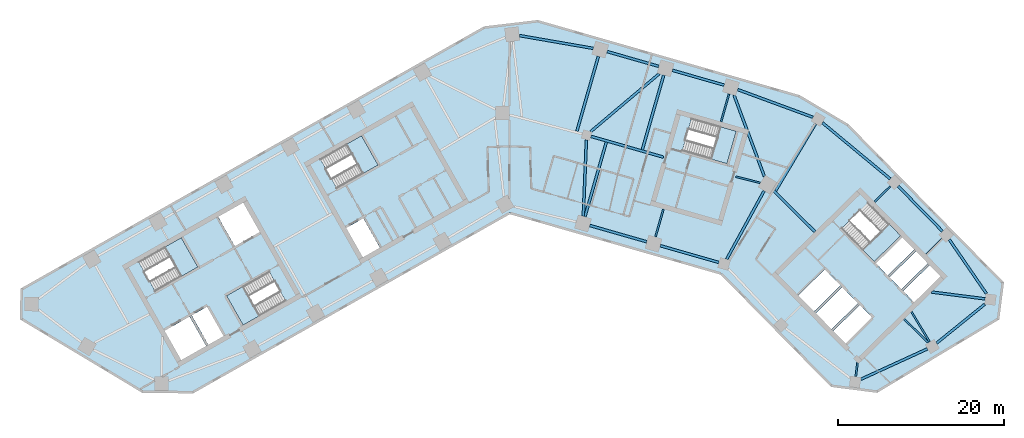
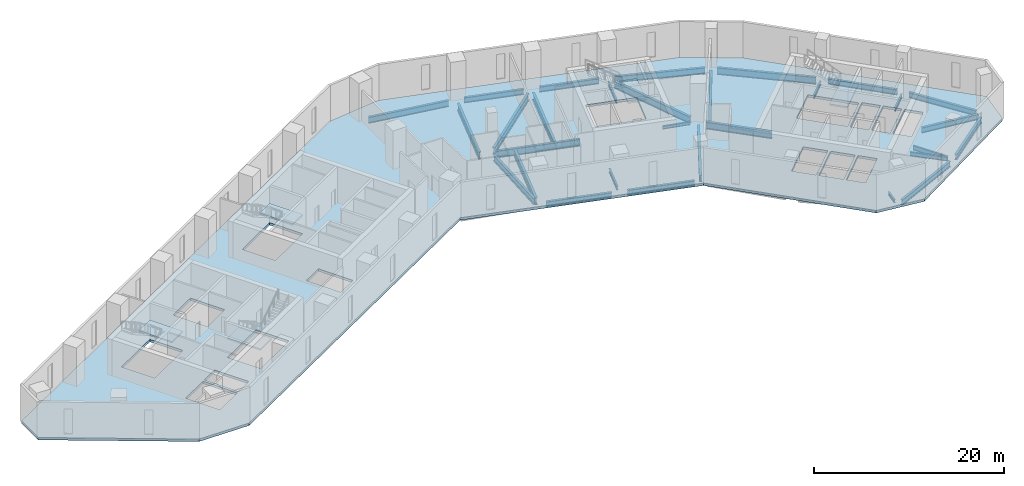
# One storey, part 2 of 10: 30 beams, 6 slabs, 5 elements without a shape of their own.
"""IFC4 building model written with IfcOpenShell, lengths in metres."""

from ifc_helpers import new_model, si_unit, direction, frame, origin, origin_2d, place, context, subcontext, project, spatial, polyline, i_section, outline, extrude, material, layer, layer_set, material_profile, profile_set, type_object, element, aggregate, save


model = new_model("IFC4")

# Units and contexts
model_context = context("Model", 3, precision=1e-05, world=origin(), true_north=direction((0.0, 1.0)))
body_context = subcontext(model_context, "Body", "Model", "MODEL_VIEW")
ifc_project = project(units=[si_unit("LENGTHUNIT", "METRE"), si_unit("AREAUNIT", "SQUARE_METRE"), si_unit("VOLUMEUNIT", "CUBIC_METRE"), si_unit("PLANEANGLEUNIT", "RADIAN"), si_unit("MASSUNIT", "GRAM", prefix="KILO")], contexts=[model_context])

# Site, building, storey
site_placement = place(None, origin())
site = spatial("IfcSite", under=ifc_project, at=site_placement, CompositionType="ELEMENT")
building_placement = place(site_placement, origin())
building = spatial("IfcBuilding", under=site, at=building_placement, Name="Binnacle Exchange Tower", CompositionType="ELEMENT")
storey_placement = place(building_placement, frame((0.0, 0.0, 31.5)))
storey = spatial("IfcBuildingStorey", under=building, at=storey_placement, Name="L06", CompositionType="ELEMENT", Elevation=31.5)

# Beams
ifc_material_1 = material(Name="Steel S355 (SHN355)", Category="steel")
ifc_material_profile_1 = material_profile(ifc_material_1, i_section(OverallWidth=0.300048828125, OverallDepth=0.699951171875, WebThickness=0.012939453125, FlangeThickness=0.02392578125, FilletRadius=0.028076171875, at=origin_2d()), Name="H 700x300x13x24")
ifc_profile_set_1 = profile_set([ifc_material_profile_1], Name="Steel S355 (SHN355)")
beam_type_1 = type_object("IfcBeamType", Name="Edge girder H 700x300x13x24 Steel S355 (SHN355)", PredefinedType="SPANDREL", material=ifc_profile_set_1)
beam_1_placement = place(storey_placement, frame((9.626708984375, 46.488037109375, -0.669921875), z_axis=(0.961260850036, -0.275640305812, 0.0), x_axis=(0.275640305812, 0.961260850036, 0.0)))
element("IfcBeam", 1, at=beam_1_placement, inside=storey, type_object=beam_type_1, Name="S:BM:edge:L06:030", PredefinedType="SPANDREL", context=body_context, shape_type="SweptSolid", body=[
    extrude(i_section(OverallWidth=0.300048828125, OverallDepth=0.699951171875, WebThickness=0.012939453125, FlangeThickness=0.02392578125, FilletRadius=0.028076171875, at=origin_2d()), origin(), (0.0, 0.0, 1.0), 7.120361328125),
])
beam_2_placement = place(storey_placement, frame((17.92919921875, 65.610595703125, -0.669921875), z_axis=(-0.961261624999, 0.275637603213, 0.0), x_axis=(-0.275637603213, -0.961261624999, 0.0)))
element("IfcBeam", 2, at=beam_2_placement, inside=storey, type_object=beam_type_1, Name="S:BM:edge:L06:032", PredefinedType="SPANDREL", context=body_context, shape_type="SweptSolid", body=[
    extrude(i_section(OverallWidth=0.300048828125, OverallDepth=0.699951171875, WebThickness=0.012939453125, FlangeThickness=0.02392578125, FilletRadius=0.028076171875, at=origin_2d()), origin(), (0.0, 0.0, 1.0), 6.472900390625),
])
beam_3_placement = place(storey_placement, frame((18.105224609375, 44.056884765625, -0.669921875), z_axis=(0.96126047873, -0.275641600691, 0.0), x_axis=(0.275641600691, 0.96126047873, 0.0)))
element("IfcBeam", 3, at=beam_3_placement, inside=storey, type_object=beam_type_1, Name="S:BM:edge:L06:033", PredefinedType="SPANDREL", context=body_context, shape_type="SweptSolid", body=[
    extrude(i_section(OverallWidth=0.300048828125, OverallDepth=0.699951171875, WebThickness=0.012939453125, FlangeThickness=0.02392578125, FilletRadius=0.028076171875, at=origin_2d()), origin(), (0.0, 0.0, 1.0), 7.320556640625),
])
beam_4_placement = place(storey_placement, frame((25.78564453125, 63.35791015625, -0.669921875), z_axis=(-0.961271618025, 0.275602751036, 0.0), x_axis=(-0.275602751036, -0.961271618025, 0.0)))
element("IfcBeam", 4, at=beam_4_placement, inside=storey, type_object=beam_type_1, Name="S:BM:edge:L06:034", PredefinedType="SPANDREL", context=body_context, shape_type="SweptSolid", body=[
    extrude(i_section(OverallWidth=0.300048828125, OverallDepth=0.699951171875, WebThickness=0.012939453125, FlangeThickness=0.02392578125, FilletRadius=0.028076171875, at=origin_2d()), origin(), (0.0, 0.0, 1.0), 6.472900390625),
])
beam_5_placement = place(storey_placement, frame((51.322265625, 32.343505859375, -0.669921875), z_axis=(0.777568489665, 0.628798253719, 0.0), x_axis=(-0.628798253719, 0.777568489665, 0.0)))
element("IfcBeam", 5, at=beam_5_placement, inside=storey, type_object=beam_type_1, Name="S:BM:edge:L06:040", PredefinedType="SPANDREL", context=body_context, shape_type="SweptSolid", body=[
    extrude(i_section(OverallWidth=0.300048828125, OverallDepth=0.699951171875, WebThickness=0.012939453125, FlangeThickness=0.02392578125, FilletRadius=0.028076171875, at=origin_2d()), origin(), (0.0, 0.0, 1.0), 7.428955078125),
])
beam_6_placement = place(storey_placement, frame((52.010986328125, 45.802978515625, -0.669921875), z_axis=(-0.700905226564, 0.713254417004, 0.0), x_axis=(-0.713254417004, -0.700905226564, 0.0)))
element("IfcBeam", 6, at=beam_6_placement, inside=storey, type_object=beam_type_1, Name="S:BM:edge:L06:041", PredefinedType="SPANDREL", context=body_context, shape_type="SweptSolid", body=[
    extrude(i_section(OverallWidth=0.300048828125, OverallDepth=0.699951171875, WebThickness=0.012939453125, FlangeThickness=0.02392578125, FilletRadius=0.028076171875, at=origin_2d()), origin(), (0.0, 0.0, 1.0), 7.57177734375),
])
beam_7_placement = place(storey_placement, frame((57.305419921875, 38.299072265625, -0.669921875), z_axis=(-0.566409202341, 0.82412415054, 0.0), x_axis=(-0.82412415054, -0.566409202341, 0.0)))
element("IfcBeam", 7, at=beam_7_placement, inside=storey, type_object=beam_type_1, Name="S:BM:edge:L06:042", PredefinedType="SPANDREL", context=body_context, shape_type="SweptSolid", body=[
    extrude(i_section(OverallWidth=0.300048828125, OverallDepth=0.699951171875, WebThickness=0.012939453125, FlangeThickness=0.02392578125, FilletRadius=0.028076171875, at=origin_2d()), origin(), (0.0, 0.0, 1.0), 7.8828125),
])
ifc_material_profile_2 = material_profile(ifc_material_1, i_section(OverallWidth=0.302001953125, OverallDepth=0.7080078125, WebThickness=0.014892578125, FlangeThickness=0.028076171875, FilletRadius=0.028076171875, at=origin_2d()), Name="H 708x302x15x28")
ifc_profile_set_2 = profile_set([ifc_material_profile_2], Name="Steel S355 (SHN355)")
beam_type_2 = type_object("IfcBeamType", Name="Edge girder H 708x302x15x28 Steel S355 (SHN355)", PredefinedType="SPANDREL", material=ifc_profile_set_2)
beam_8_placement = place(storey_placement, frame((42.215576171875, 27.99365234375, -0.674072265625), z_axis=(0.909179052108, 0.416405392866, 0.0), x_axis=(-0.416405392866, 0.909179052108, 0.0)))
element("IfcBeam", 8, at=beam_8_placement, inside=storey, type_object=beam_type_2, Name="S:BM:edge:L06:038", PredefinedType="SPANDREL", context=body_context, shape_type="SweptSolid", body=[
    extrude(i_section(OverallWidth=0.302001953125, OverallDepth=0.7080078125, WebThickness=0.014892578125, FlangeThickness=0.028076171875, FilletRadius=0.028076171875, at=origin_2d()), origin(), (0.0, 0.0, 1.0), 8.801025390625),
])
ifc_material_profile_3 = material_profile(ifc_material_1, i_section(OverallWidth=0.300048828125, OverallDepth=0.800048828125, WebThickness=0.013916015625, FlangeThickness=0.02587890625, FilletRadius=0.028076171875, at=origin_2d()), Name="H 800x300x14x26")
ifc_profile_set_3 = profile_set([ifc_material_profile_3], Name="Steel S355 (SHN355)")
beam_type_3 = type_object("IfcBeamType", Name="Edge girder H 800x300x14x26 Steel S355 (SHN355)", PredefinedType="SPANDREL", material=ifc_profile_set_3)
beam_9_placement = place(storey_placement, frame((10.047607421875, 67.77490234375, -0.719970703125), z_axis=(-0.985312460293, 0.17076110679, 0.0), x_axis=(-0.17076110679, -0.985312460293, 0.0)))
element("IfcBeam", 9, at=beam_9_placement, inside=storey, type_object=beam_type_3, Name="S:BM:edge:L06:031", PredefinedType="SPANDREL", context=body_context, shape_type="SweptSolid", body=[
    extrude(i_section(OverallWidth=0.300048828125, OverallDepth=0.800048828125, WebThickness=0.013916015625, FlangeThickness=0.02587890625, FilletRadius=0.028076171875, at=origin_2d()), origin(), (0.0, 0.0, 1.0), 9.005859375),
])
ifc_material_profile_4 = material_profile(ifc_material_1, i_section(OverallWidth=0.302001953125, OverallDepth=0.80810546875, WebThickness=0.01611328125, FlangeThickness=0.030029296875, FilletRadius=0.028076171875, at=origin_2d()), Name="H 808x302x16x30")
ifc_profile_set_4 = profile_set([ifc_material_profile_4], Name="Steel S355 (SHN355)")
beam_type_4 = type_object("IfcBeamType", Name="Edge girder H 808x302x16x30 Steel S355 (SHN355)", PredefinedType="SPANDREL", material=ifc_profile_set_4)
beam_10_placement = place(storey_placement, frame((36.464599609375, 59.490966796875, -0.72412109375), z_axis=(-0.938368148393, 0.345637408395, 0.0), x_axis=(-0.345637408395, -0.938368148393, 0.0)))
element("IfcBeam", 10, at=beam_10_placement, inside=storey, type_object=beam_type_4, Name="S:BM:edge:L06:037", PredefinedType="SPANDREL", context=body_context, shape_type="SweptSolid", body=[
    extrude(i_section(OverallWidth=0.302001953125, OverallDepth=0.80810546875, WebThickness=0.01611328125, FlangeThickness=0.030029296875, FilletRadius=0.028076171875, at=origin_2d()), origin(), (0.0, 0.0, 1.0), 9.6572265625),
])
ifc_material_profile_5 = material_profile(ifc_material_1, i_section(OverallWidth=0.300048828125, OverallDepth=0.89990234375, WebThickness=0.01611328125, FlangeThickness=0.028076171875, FilletRadius=0.028076171875, at=origin_2d()), Name="H 900x300x16x28")
ifc_profile_set_5 = profile_set([ifc_material_profile_5], Name="Steel S355 (SHN355)")
beam_type_5 = type_object("IfcBeamType", Name="Edge girder H 900x300x16x28 Steel S355 (SHN355)", PredefinedType="SPANDREL", material=ifc_profile_set_5)
beam_11_placement = place(storey_placement, frame((45.7451171875, 52.084228515625, -0.77001953125), z_axis=(-0.769906025895, 0.638157277864, 0.0), x_axis=(-0.638157277864, -0.769906025895, 0.0)))
element("IfcBeam", 11, at=beam_11_placement, inside=storey, type_object=beam_type_5, Name="S:BM:edge:L06:039", PredefinedType="SPANDREL", context=body_context, shape_type="SweptSolid", body=[
    extrude(i_section(OverallWidth=0.300048828125, OverallDepth=0.89990234375, WebThickness=0.01611328125, FlangeThickness=0.028076171875, FilletRadius=0.028076171875, at=origin_2d()), origin(), (0.0, 0.0, 1.0), 10.59033203125),
])
ifc_material_profile_6 = material_profile(ifc_material_1, i_section(OverallWidth=0.199951171875, OverallDepth=0.39990234375, WebThickness=0.008056640625, FlangeThickness=0.012939453125, FilletRadius=0.01611328125, at=origin_2d()), Name="H 400x200x8x13")
ifc_profile_set_6 = profile_set([ifc_material_profile_6], Name="Steel S355 (SHN355)")
beam_type_6 = type_object("IfcBeamType", Name="Floor beam H 400x200x8x13 Steel S355 (SHN355)", PredefinedType="BEAM", material=ifc_profile_set_6)
beam_12_placement = place(storey_placement, frame((41.601806640625, 28.319580078125, -0.52001953125), z_axis=(0.126197116971, 0.992005185303, 0.0), x_axis=(-0.992005185303, 0.126197116971, 0.0)))
element("IfcBeam", 12, at=beam_12_placement, inside=storey, type_object=beam_type_6, Name="S:BM:cross:L06:063", PredefinedType="BEAM", context=body_context, shape_type="SweptSolid", body=[
    extrude(i_section(OverallWidth=0.199951171875, OverallDepth=0.39990234375, WebThickness=0.008056640625, FlangeThickness=0.012939453125, FilletRadius=0.01611328125, at=origin_2d()), origin(), (0.0, 0.0, 1.0), 1.68115234375),
])
ifc_material_profile_7 = material_profile(ifc_material_1, i_section(OverallWidth=0.199951171875, OverallDepth=0.449951171875, WebThickness=0.009033203125, FlangeThickness=0.013916015625, FilletRadius=0.01806640625, at=origin_2d()), Name="H 450x200x9x14")
ifc_profile_set_7 = profile_set([ifc_material_profile_7], Name="Steel S355 (SHN355)")
beam_type_7 = type_object("IfcBeamType", Name="Floor beam H 450x200x9x14 Steel S355 (SHN355)", PredefinedType="BEAM", material=ifc_profile_set_7)
for number, where, z_axis, x_axis, name in (
    (13, (45.78466796875, 51.211669921875, -0.544921875), (-0.713299272232, -0.700859578113, 0.0), (0.700859578113, -0.713299272232, 0.0), "S:BM:cross:L06:064"),
    (14, (52.003173828125, 44.8837890625, -0.544921875), (-0.713254209224, -0.700905438004, 0.0), (0.700905438004, -0.713254209224, 0.0), "S:BM:cross:L06:066"),
):
    element("IfcBeam", number, at=place(storey_placement, frame(where, z_axis=z_axis, x_axis=x_axis)), inside=storey, type_object=beam_type_7, Name=name, PredefinedType="BEAM", context=body_context, shape_type="SweptSolid", body=[
        extrude(i_section(OverallWidth=0.199951171875, OverallDepth=0.449951171875, WebThickness=0.009033203125, FlangeThickness=0.013916015625, FilletRadius=0.01806640625, at=origin_2d()), origin(), (0.0, 0.0, 1.0), 2.70849609375),
    ])
ifc_material_profile_8 = material_profile(ifc_material_1, i_section(OverallWidth=0.200927734375, OverallDepth=0.506103515625, WebThickness=0.010986328125, FlangeThickness=0.01904296875, FilletRadius=0.02001953125, at=origin_2d()), Name="H 506x201x11x19")
ifc_profile_set_8 = profile_set([ifc_material_profile_8], Name="Steel S355 (SHN355)")
beam_type_8 = type_object("IfcBeamType", Name="Floor beam H 506x201x11x19 Steel S355 (SHN355)", PredefinedType="BEAM", material=ifc_profile_set_8)
for number, where, z_axis, x_axis, name in (
    (15, (17.5224609375, 45.108154296875, -0.572998046875), (0.275655468279, 0.961256502089, 0.0), (-0.961256502089, 0.275655468279, 0.0), "S:BM:cross:L06:058"),
    (16, (26.368408203125, 62.306396484375, -0.572998046875), (-0.275655468279, -0.961256502089, 0.0), (0.961256502089, -0.275655468279, 0.0), "S:BM:cross:L06:060"),
):
    element("IfcBeam", number, at=place(storey_placement, frame(where, z_axis=z_axis, x_axis=x_axis)), inside=storey, type_object=beam_type_8, Name=name, PredefinedType="BEAM", context=body_context, shape_type="SweptSolid", body=[
        extrude(i_section(OverallWidth=0.200927734375, OverallDepth=0.506103515625, WebThickness=0.010986328125, FlangeThickness=0.01904296875, FilletRadius=0.02001953125, at=origin_2d()), origin(), (0.0, 0.0, 1.0), 3.485107421875),
    ])
ifc_material_profile_9 = material_profile(ifc_material_1, i_section(OverallWidth=0.199951171875, OverallDepth=0.60009765625, WebThickness=0.010986328125, FlangeThickness=0.01708984375, FilletRadius=0.02197265625, at=origin_2d()), Name="H 600x200x11x17")
ifc_profile_set_9 = profile_set([ifc_material_profile_9], Name="Steel S355 (SHN355)")
beam_type_9 = type_object("IfcBeamType", Name="Floor beam H 600x200x11x17 Steel S355 (SHN355)", PredefinedType="BEAM", material=ifc_profile_set_9)
beam_13_placement = place(storey_placement, frame((50.477294921875, 32.488037109375, -0.6201171875), z_axis=(-0.515057466438, 0.857155648798, 0.0), x_axis=(-0.857155648798, -0.515057466438, 0.0)))
element("IfcBeam", 17, at=beam_13_placement, inside=storey, type_object=beam_type_9, Name="S:BM:cross:L06:065", PredefinedType="BEAM", context=body_context, shape_type="SweptSolid", body=[
    extrude(i_section(OverallWidth=0.199951171875, OverallDepth=0.60009765625, WebThickness=0.010986328125, FlangeThickness=0.01708984375, FilletRadius=0.02197265625, at=origin_2d()), origin(), (0.0, 0.0, 1.0), 4.2177734375),
])
ifc_material_profile_10 = material_profile(ifc_material_1, i_section(OverallWidth=0.300048828125, OverallDepth=0.699951171875, WebThickness=0.012939453125, FlangeThickness=0.02392578125, FilletRadius=0.028076171875, at=origin_2d()), Name="H 700x300x13x24")
ifc_profile_set_10 = profile_set([ifc_material_profile_10], Name="Steel S355 (SHN355)")
beam_type_10 = type_object("IfcBeamType", Name="Floor beam H 700x300x13x24 Steel S355 (SHN355)", PredefinedType="BEAM", material=ifc_profile_set_10)
beam_14_placement = place(storey_placement, frame((57.154296875, 37.6630859375, -0.669921875), z_axis=(-0.992006658356, 0.126185537116, 0.0), x_axis=(-0.126185537116, -0.992006658356, 0.0)))
element("IfcBeam", 18, at=beam_14_placement, inside=storey, type_object=beam_type_10, Name="S:BM:cross:L06:067", PredefinedType="BEAM", context=body_context, shape_type="SweptSolid", body=[
    extrude(i_section(OverallWidth=0.300048828125, OverallDepth=0.699951171875, WebThickness=0.012939453125, FlangeThickness=0.02392578125, FilletRadius=0.028076171875, at=origin_2d()), origin(), (0.0, 0.0, 1.0), 6.4814453125),
])
ifc_material_profile_11 = material_profile(ifc_material_1, i_section(OverallWidth=0.302978515625, OverallDepth=0.91796875, WebThickness=0.01904296875, FlangeThickness=0.037109375, FilletRadius=0.028076171875, at=origin_2d()), Name="H 918x303x19x37")
ifc_profile_set_11 = profile_set([ifc_material_profile_11], Name="Steel S355 (SHN355)")
beam_type_11 = type_object("IfcBeamType", Name="Floor beam H 918x303x19x37 Steel S355 (SHN355)", PredefinedType="BEAM", material=ifc_profile_set_11)
beam_15_placement = place(storey_placement, frame((9.043701171875, 47.539306640625, -0.779052734375), z_axis=(0.275646698205, 0.961259017003, 0.0), x_axis=(-0.961259017003, 0.275646698205, 0.0)))
element("IfcBeam", 19, at=beam_15_placement, inside=storey, type_object=beam_type_11, Name="S:BM:cross:L06:056", PredefinedType="BEAM", context=body_context, shape_type="SweptSolid", body=[
    extrude(i_section(OverallWidth=0.302978515625, OverallDepth=0.91796875, WebThickness=0.01904296875, FlangeThickness=0.037109375, FilletRadius=0.028076171875, at=origin_2d()), origin(), (0.0, 0.0, 1.0), 9.335205078125),
])
beam_16_placement = place(storey_placement, frame((10.65576171875, 66.81201171875, -0.779052734375), z_axis=(-0.275626703457, -0.961264750389, 0.0), x_axis=(0.961264750389, -0.275626703457, 0.0)))
element("IfcBeam", 20, at=beam_16_placement, inside=storey, type_object=beam_type_11, Name="S:BM:cross:L06:057", PredefinedType="BEAM", context=body_context, shape_type="SweptSolid", body=[
    extrude(i_section(OverallWidth=0.302978515625, OverallDepth=0.91796875, WebThickness=0.01904296875, FlangeThickness=0.037109375, FilletRadius=0.028076171875, at=origin_2d()), origin(), (0.0, 0.0, 1.0), 9.363525390625),
])
beam_17_placement = place(storey_placement, frame((18.511962890625, 64.55908203125, -0.779052734375), z_axis=(-0.275629461812, -0.961263959473, 0.0), x_axis=(0.961263959473, -0.275629461812, 0.0)))
element("IfcBeam", 21, at=beam_17_placement, inside=storey, type_object=beam_type_11, Name="S:BM:cross:L06:059", PredefinedType="BEAM", context=body_context, shape_type="SweptSolid", body=[
    extrude(i_section(OverallWidth=0.302978515625, OverallDepth=0.91796875, WebThickness=0.01904296875, FlangeThickness=0.037109375, FilletRadius=0.028076171875, at=origin_2d()), origin(), (0.0, 0.0, 1.0), 9.3349609375),
])
beam_18_placement = place(storey_placement, frame((36.752685546875, 58.703857421875, -0.779052734375), z_axis=(-0.511298188751, -0.859403375709, 0.0), x_axis=(0.859403375709, -0.511298188751, 0.0)))
element("IfcBeam", 22, at=beam_18_placement, inside=storey, type_object=beam_type_11, Name="S:BM:cross:L06:062", PredefinedType="BEAM", context=body_context, shape_type="SweptSolid", body=[
    extrude(i_section(OverallWidth=0.302978515625, OverallDepth=0.91796875, WebThickness=0.01904296875, FlangeThickness=0.037109375, FilletRadius=0.028076171875, at=origin_2d()), origin(), (0.0, 0.0, 1.0), 9.385986328125),
])
ifc_material_profile_12 = material_profile(ifc_material_1, i_section(OverallWidth=0.199951171875, OverallDepth=0.39990234375, WebThickness=0.008056640625, FlangeThickness=0.012939453125, FilletRadius=0.01611328125, at=origin_2d()), Name="H 400x200x8x13")
ifc_profile_set_12 = profile_set([ifc_material_profile_12], Name="Steel S355 (SHN355)")
beam_type_12 = type_object("IfcBeamType", Name="Spine girder H 400x200x8x13 Steel S355 (SHN355)", PredefinedType="BEAM", material=ifc_profile_set_12)
beam_19_placement = place(storey_placement, frame((27.17138671875, 52.35400390625, -0.52001953125), z_axis=(0.969359627701, -0.245645908136, 0.0), x_axis=(0.245645908136, 0.969359627701, 0.0)))
element("IfcBeam", 23, at=beam_19_placement, inside=storey, type_object=beam_type_12, Name="S:BM:spine:L06:010", PredefinedType="BEAM", context=body_context, shape_type="SweptSolid", body=[
    extrude(i_section(OverallWidth=0.199951171875, OverallDepth=0.39990234375, WebThickness=0.008056640625, FlangeThickness=0.012939453125, FilletRadius=0.01611328125, at=origin_2d()), origin(), (0.0, 0.0, 1.0), 3.046142578125),
])
ifc_material_profile_13 = material_profile(ifc_material_1, i_section(OverallWidth=0.200927734375, OverallDepth=0.506103515625, WebThickness=0.010986328125, FlangeThickness=0.01904296875, FilletRadius=0.02001953125, at=origin_2d()), Name="H 506x201x11x19")
ifc_profile_set_13 = profile_set([ifc_material_profile_13], Name="Steel S355 (SHN355)")
beam_type_13 = type_object("IfcBeamType", Name="Spine girder H 506x201x11x19 Steel S355 (SHN355)", PredefinedType="BEAM", material=ifc_profile_set_13)
beam_20_placement = place(storey_placement, frame((47.417236328125, 35.23095703125, -0.572998046875), z_axis=(0.717013275689, -0.697059511437, 0.0), x_axis=(0.697059511437, 0.717013275689, 0.0)))
element("IfcBeam", 24, at=beam_20_placement, inside=storey, type_object=beam_type_13, Name="S:BM:spine:L06:014", PredefinedType="BEAM", context=body_context, shape_type="SweptSolid", body=[
    extrude(i_section(OverallWidth=0.200927734375, OverallDepth=0.506103515625, WebThickness=0.010986328125, FlangeThickness=0.01904296875, FilletRadius=0.02001953125, at=origin_2d()), origin(), (0.0, 0.0, 1.0), 4.06201171875),
])
ifc_material_profile_14 = material_profile(ifc_material_1, i_section(OverallWidth=0.302001953125, OverallDepth=0.80810546875, WebThickness=0.01611328125, FlangeThickness=0.030029296875, FilletRadius=0.028076171875, at=origin_2d()), Name="H 808x302x16x30")
ifc_profile_set_14 = profile_set([ifc_material_profile_14], Name="Steel S355 (SHN355)")
beam_type_14 = type_object("IfcBeamType", Name="Spine girder H 808x302x16x30 Steel S355 (SHN355)", PredefinedType="BEAM", material=ifc_profile_set_14)
beam_21_placement = place(storey_placement, frame((9.218017578125, 56.78466796875, -0.72412109375), z_axis=(-0.040567083206, -0.999176817065, 0.0), x_axis=(0.999176817065, -0.040567083206, 0.0)))
element("IfcBeam", 25, at=beam_21_placement, inside=storey, type_object=beam_type_14, Name="S:BM:spine:L06:007", PredefinedType="BEAM", context=body_context, shape_type="SweptSolid", body=[
    extrude(i_section(OverallWidth=0.302001953125, OverallDepth=0.80810546875, WebThickness=0.01611328125, FlangeThickness=0.030029296875, FilletRadius=0.028076171875, at=origin_2d()), origin(), (0.0, 0.0, 1.0), 9.19580078125),
])
beam_22_placement = place(storey_placement, frame((30.580078125, 50.6396484375, -0.72412109375), z_axis=(-0.480716000085, -0.87687634662, 0.0), x_axis=(0.87687634662, -0.480716000085, 0.0)))
element("IfcBeam", 26, at=beam_22_placement, inside=storey, type_object=beam_type_14, Name="S:BM:spine:L06:011", PredefinedType="BEAM", context=body_context, shape_type="SweptSolid", body=[
    extrude(i_section(OverallWidth=0.302001953125, OverallDepth=0.80810546875, WebThickness=0.01611328125, FlangeThickness=0.030029296875, FilletRadius=0.028076171875, at=origin_2d()), origin(), (0.0, 0.0, 1.0), 9.34619140625),
])
ifc_material_profile_15 = material_profile(ifc_material_1, i_section(OverallWidth=0.302001953125, OverallDepth=0.912109375, WebThickness=0.01806640625, FlangeThickness=0.033935546875, FilletRadius=0.028076171875, at=origin_2d()), Name="H 912x302x18x34")
ifc_profile_set_15 = profile_set([ifc_material_profile_15], Name="Steel S355 (SHN355)")
beam_type_15 = type_object("IfcBeamType", Name="Spine girder H 912x302x18x34 Steel S355 (SHN355)", PredefinedType="BEAM", material=ifc_profile_set_15)
beam_23_placement = place(storey_placement, frame((9.74658203125, 57.77734375, -0.77587890625), z_axis=(0.764072930463, 0.64512987602, 0.0), x_axis=(-0.64512987602, 0.764072930463, 0.0)))
element("IfcBeam", 27, at=beam_23_placement, inside=storey, type_object=beam_type_15, Name="S:BM:spine:L06:008", PredefinedType="BEAM", context=body_context, shape_type="SweptSolid", body=[
    extrude(i_section(OverallWidth=0.302001953125, OverallDepth=0.912109375, WebThickness=0.01806640625, FlangeThickness=0.033935546875, FilletRadius=0.028076171875, at=origin_2d()), origin(), (0.0, 0.0, 1.0), 10.755615234375),
])
beam_24_placement = place(storey_placement, frame((30.614501953125, 52.389892578125, -0.77587890625), z_axis=(-0.350104624168, 0.936710602126, 0.0), x_axis=(-0.936710602126, -0.350104624168, 0.0)))
element("IfcBeam", 28, at=beam_24_placement, inside=storey, type_object=beam_type_15, Name="S:BM:spine:L06:012", PredefinedType="BEAM", context=body_context, shape_type="SweptSolid", body=[
    extrude(i_section(OverallWidth=0.302001953125, OverallDepth=0.912109375, WebThickness=0.01806640625, FlangeThickness=0.033935546875, FilletRadius=0.028076171875, at=origin_2d()), origin(), (0.0, 0.0, 1.0), 10.4013671875),
])
ifc_material_profile_16 = material_profile(ifc_material_1, i_section(OverallWidth=0.302978515625, OverallDepth=0.91796875, WebThickness=0.01904296875, FlangeThickness=0.037109375, FilletRadius=0.028076171875, at=origin_2d()), Name="H 918x303x19x37")
ifc_profile_set_16 = profile_set([ifc_material_profile_16], Name="Steel S355 (SHN355)")
beam_type_16 = type_object("IfcBeamType", Name="Spine girder H 918x303x19x37 Steel S355 (SHN355)", PredefinedType="BEAM", material=ifc_profile_set_16)
beam_25_placement = place(storey_placement, frame((9.76953125, 57.198486328125, -0.779052734375), z_axis=(0.961265329417, -0.275624684057, 0.0), x_axis=(0.275624684057, 0.961265329417, 0.0)))
element("IfcBeam", 29, at=beam_25_placement, inside=storey, type_object=beam_type_16, Name="S:BM:spine:L06:009", PredefinedType="BEAM", context=body_context, shape_type="SweptSolid", body=[
    extrude(i_section(OverallWidth=0.302978515625, OverallDepth=0.91796875, WebThickness=0.01904296875, FlangeThickness=0.037109375, FilletRadius=0.028076171875, at=origin_2d()), origin(), (0.0, 0.0, 1.0), 9.063232421875),
])
beam_26_placement = place(storey_placement, frame((31.60888671875, 50.773681640625, -0.779052734375), z_axis=(0.711013452478, -0.703178405809, 0.0), x_axis=(0.703178405809, 0.711013452478, 0.0)))
element("IfcBeam", 30, at=beam_26_placement, inside=storey, type_object=beam_type_16, Name="S:BM:spine:L06:013", PredefinedType="BEAM", context=body_context, shape_type="SweptSolid", body=[
    extrude(i_section(OverallWidth=0.302978515625, OverallDepth=0.91796875, WebThickness=0.01904296875, FlangeThickness=0.037109375, FilletRadius=0.028076171875, at=origin_2d()), origin(), (0.0, 0.0, 1.0), 7.166748046875),
])

# Slab
ifc_material_2 = material(Name="Concrete C35/45", Category="concrete")
ifc_layer_1 = layer(ifc_material_2, 0.320068359375)
ifc_layer_set_1 = layer_set([ifc_layer_1], Name="Floor slab 320 Concrete C35/45")
slab_type_1 = type_object("IfcSlabType", Name="Floor slab 320 Concrete C35/45", PredefinedType="FLOOR", material=ifc_layer_set_1)
slab_1_placement = place(storey_placement, frame((0.0, 0.0, -0.320068359375)))
element("IfcSlab", 31, at=slab_1_placement, inside=storey, type_object=slab_type_1, Name="S:SL:L06:01", PredefinedType="FLOOR", context=body_context, shape_type="SweptSolid", body=[
    extrude(outline(polyline([(59.262939453125, 39.5791015625), (58.716064453125, 35.280029296875), (44.14404296875, 26.5244140625), (38.69091796875, 27.21826171875), (25.43603515625, 40.706298828125), (0.0, 48.0), (-38.097900390625, 26.4453125), (-44.14404296875, 26.5244140625), (-58.716064453125, 35.280029296875), (-58.669921875, 38.80615234375), (-3.046142578125, 70.276611328125), (3.364501953125, 71.035400390625), (34.789794921875, 62.024169921875), (40.607421875, 58.56298828125), (59.262939453125, 39.5791015625)]), holes=[polyline([(-38.4794921875, 35.529296875), (-41.61279296875, 33.756591796875), (-39.544677734375, 30.10107421875), (-36.411376953125, 31.873779296875), (-38.4794921875, 35.529296875)]), polyline([(-34.322509765625, 33.0556640625), (-36.390625, 36.711181640625), (-38.21826171875, 35.677001953125), (-36.150146484375, 32.021484375), (-34.322509765625, 33.0556640625)]), polyline([(-34.040771484375, 38.04052734375), (-32.04638671875, 34.515625), (-26.9287109375, 37.4111328125), (-28.923095703125, 40.93603515625), (-34.040771484375, 38.04052734375)]), polyline([(-37.486572265625, 41.4912109375), (-39.480712890625, 45.01611328125), (-44.598388671875, 42.12060546875), (-42.604248046875, 38.595703125), (-37.486572265625, 41.4912109375)]), polyline([(-15.53076171875, 43.6875), (-17.598876953125, 47.343017578125), (-19.77490234375, 46.11181640625), (-17.70654296875, 42.456298828125), (-15.53076171875, 43.6875)]), polyline([(-29.914306640625, 45.775390625), (-31.982666015625, 49.430908203125), (-35.115966796875, 47.657958984375), (-33.047607421875, 44.00244140625), (-29.914306640625, 45.775390625)]), polyline([(-15.822509765625, 53.748046875), (-17.81689453125, 57.27294921875), (-22.760498046875, 54.47607421875), (-20.76611328125, 50.950927734375), (-15.822509765625, 53.748046875)]), polyline([(26.111328125, 53.9169921875), (27.227783203125, 57.810302734375), (21.864013671875, 59.348388671875), (20.74755859375, 55.455078125), (26.111328125, 53.9169921875)]), polyline([(40.268798828125, 32.201904296875), (43.549560546875, 35.426025390625), (42.07763671875, 36.923828125), (38.796875, 33.69970703125), (40.268798828125, 32.201904296875)]), polyline([(38.58642578125, 33.913818359375), (41.867431640625, 37.137939453125), (39.97509765625, 39.063720703125), (36.694091796875, 35.83935546875), (38.58642578125, 33.913818359375)]), polyline([(36.48388671875, 36.053466796875), (39.7646484375, 39.277587890625), (37.872314453125, 41.203369140625), (34.59130859375, 37.979248046875), (36.48388671875, 36.053466796875)]), polyline([(48.726806640625, 37.148681640625), (52.0078125, 40.372802734375), (50.577880859375, 41.827880859375), (47.296875, 38.603759765625), (48.726806640625, 37.148681640625)]), polyline([(47.086669921875, 38.817626953125), (50.36767578125, 42.0419921875), (48.944580078125, 43.48974609375), (45.663818359375, 40.265625), (47.086669921875, 38.817626953125)]), polyline([(45.45361328125, 40.4794921875), (48.734375, 43.703857421875), (47.3115234375, 45.151611328125), (44.030517578125, 41.927490234375), (45.45361328125, 40.4794921875)]), polyline([(43.8203125, 42.141357421875), (46.994384765625, 45.260498046875), (43.083251953125, 49.240478515625), (39.9091796875, 46.121337890625), (43.8203125, 42.141357421875)])]), origin(), (0.0, 0.0, 1.0), 0.320068359375),
])

# Stair, slab
stair_type = type_object("IfcStairType", Name="STAIR 28 RISERS 179", PredefinedType="HALF_TURN_STAIR", material=ifc_material_2)
stair_1_placement = place(storey_placement, origin())
stair_1 = element("IfcStair", 32, at=stair_1_placement, inside=storey, type_object=stair_type, Name="L06 Escape stair A1", PredefinedType="HALF_TURN_STAIR")
ifc_layer_2 = layer(ifc_material_2, 0.199951171875)
ifc_layer_set_2 = layer_set([ifc_layer_2], Name="STAIR LANDING 200")
slab_type_2 = type_object("IfcSlabType", Name="STAIR LANDING 200", PredefinedType="LANDING", material=ifc_layer_set_2)
slab_2_placement = place(storey_placement, frame((0.0, 0.0, 2.300048828125)))
slab_2 = element("IfcSlab", 33, at=slab_2_placement, type_object=slab_type_2, Name="STA1 landing 1", PredefinedType="LANDING", context=body_context, shape_type="SweptSolid", body=[
    extrude(outline(polyline([(-39.470947265625, 40.368408203125), (-37.486572265625, 41.4912109375), (-39.48095703125, 45.01611328125), (-41.46533203125, 43.893310546875), (-39.470947265625, 40.368408203125)])), origin(), (0.0, 0.0, 1.0), 0.199951171875),
])
aggregate(stair_1, [slab_2])

stair_2_placement = place(storey_placement, origin())
stair_2 = element("IfcStair", 34, at=stair_2_placement, inside=storey, type_object=stair_type, Name="L06 Escape stair A2", PredefinedType="HALF_TURN_STAIR")
slab_3_placement = place(storey_placement, frame((0.0, 0.0, 2.300048828125)))
slab_3 = element("IfcSlab", 35, at=slab_3_placement, type_object=slab_type_2, Name="STA2 landing 1", PredefinedType="LANDING", context=body_context, shape_type="SweptSolid", body=[
    extrude(outline(polyline([(-32.05615234375, 39.163330078125), (-34.040771484375, 38.04052734375), (-32.04638671875, 34.515625), (-30.06201171875, 35.638427734375), (-32.05615234375, 39.163330078125)])), origin(), (0.0, 0.0, 1.0), 0.199951171875),
])
aggregate(stair_2, [slab_3])

stair_3_placement = place(storey_placement, origin())
stair_3 = element("IfcStair", 36, at=stair_3_placement, inside=storey, type_object=stair_type, Name="L06 Escape stair B1", PredefinedType="HALF_TURN_STAIR")
slab_4_placement = place(storey_placement, frame((0.0, 0.0, 2.300048828125)))
slab_4 = element("IfcSlab", 37, at=slab_4_placement, type_object=slab_type_2, Name="STB1 landing 1", PredefinedType="LANDING", context=body_context, shape_type="SweptSolid", body=[
    extrude(outline(polyline([(42.4326171875, 43.5537109375), (43.8203125, 42.141357421875), (46.994384765625, 45.260498046875), (45.606689453125, 46.672607421875), (42.4326171875, 43.5537109375)])), origin(), (0.0, 0.0, 1.0), 0.199951171875),
])
aggregate(stair_3, [slab_4])

stair_4_placement = place(storey_placement, origin())
stair_4 = element("IfcStair", 38, at=stair_4_placement, inside=storey, type_object=stair_type, Name="L06 Escape stair C1", PredefinedType="HALF_TURN_STAIR")
slab_5_placement = place(storey_placement, frame((0.0, 0.0, 2.300048828125)))
slab_5 = element("IfcSlab", 39, at=slab_5_placement, type_object=slab_type_2, Name="STC1 landing 1", PredefinedType="LANDING", context=body_context, shape_type="SweptSolid", body=[
    extrude(outline(polyline([(-17.6328125, 52.7236328125), (-15.822509765625, 53.748046875), (-17.81689453125, 57.27294921875), (-19.627197265625, 56.248779296875), (-17.6328125, 52.7236328125)])), origin(), (0.0, 0.0, 1.0), 0.199951171875),
])
aggregate(stair_4, [slab_5])

stair_5_placement = place(storey_placement, origin())
stair_5 = element("IfcStair", 40, at=stair_5_placement, inside=storey, type_object=stair_type, Name="L06 Escape stair D1", PredefinedType="HALF_TURN_STAIR")
slab_6_placement = place(storey_placement, frame((0.0, 0.0, 2.300048828125)))
slab_6 = element("IfcSlab", 41, at=slab_6_placement, type_object=slab_type_2, Name="STD1 landing 1", PredefinedType="LANDING", context=body_context, shape_type="SweptSolid", body=[
    extrude(outline(polyline([(24.2080078125, 54.462890625), (26.111328125, 53.917236328125), (27.227783203125, 57.810302734375), (25.324462890625, 58.35595703125), (24.2080078125, 54.462890625)])), origin(), (0.0, 0.0, 1.0), 0.199951171875),
])
aggregate(stair_5, [slab_6])

save(model, "model.ifc")
